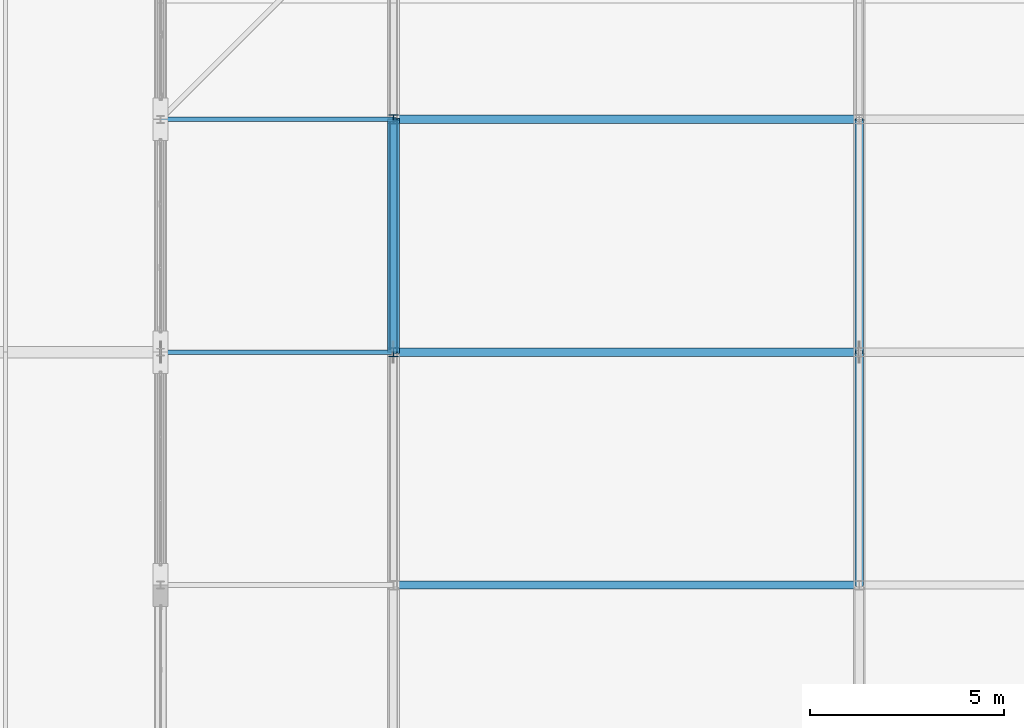
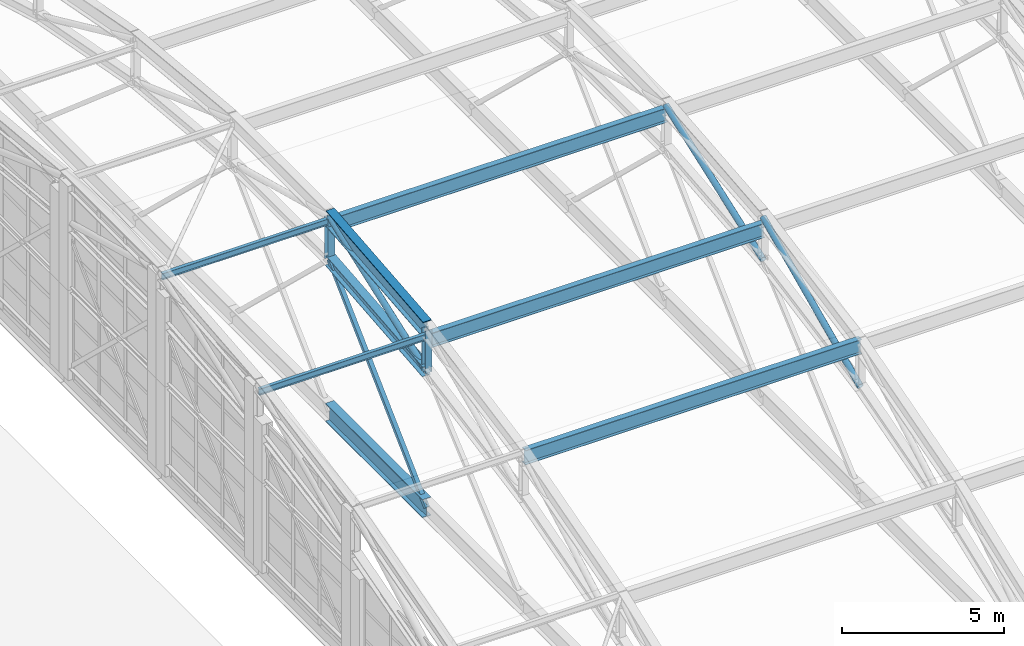
# One storey, part 80 of 204: 14 members.
"""IFC4 building model written with IfcOpenShell, lengths in metres."""

import ifcopenshell
import ifcopenshell.guid

model = None  # the IFC model being written
_history = None  # IfcOwnerHistory: only IFC2X3 demands one
_inside = {}  # id of a spatial element -> (the spatial element, [elements in it])
_under = {}  # id of a project, library or spatial element -> (it, [spatial elements below it])
_declared = {}  # id of a project -> (the project, [libraries it declares])
_typed = {}  # id of a type object -> (the type object, [elements of that type])
_made_of = {}  # id of a material, layer set ... -> (it, [elements and type objects made of it])


def new_model(schema):
    """Start an empty IFC model of exactly this schema.

    Asked for "IFC4X3", IfcOpenShell would pick the latest addendum, in which some entities
    have other attributes; the version numbers below select the first issue.
    IFC2X3 requires an IfcOwnerHistory on every rooted entity: one is made here for all.
    """
    global model, _history
    if schema == "IFC4X3":
        model = ifcopenshell.file(schema_version=(4, 3, 0, 0))
    else:
        model = ifcopenshell.file(schema=schema)
    _inside.clear()
    _under.clear()
    _declared.clear()
    _typed.clear()
    _made_of.clear()
    _history = None
    if model.schema == "IFC2X3":
        org = make("IfcOrganization", Name="unknown")
        user = make(
            "IfcPersonAndOrganization",
            ThePerson=make("IfcPerson", FamilyName="unknown"),
            TheOrganization=org,
        )
        app = make(
            "IfcApplication",
            ApplicationDeveloper=org,
            Version="unknown",
            ApplicationFullName="unknown",
            ApplicationIdentifier="unknown",
        )
        _history = make(
            "IfcOwnerHistory",
            OwningUser=user,
            OwningApplication=app,
            ChangeAction="ADDED",
            CreationDate=0,
        )
    return model


def make(cls, **values):
    """One entity of the class cls with the attributes given. An attribute that is None is left unset."""
    return model.create_entity(
        cls, **{name: value for name, value in values.items() if value is not None}
    )


def rooted(cls, **values):
    """An entity with a GlobalId (a new one), such as an element, a storey or a relation."""
    return make(cls, GlobalId=ifcopenshell.guid.new(), OwnerHistory=_history, **values)


def si_unit(unit_type, name, prefix=None):
    """IfcSIUnit, for example si_unit("LENGTHUNIT", "METRE", prefix="MILLI")."""
    return make("IfcSIUnit", UnitType=unit_type, Prefix=prefix, Name=name)


def assignment(units):
    """IfcUnitAssignment: the units of a project."""
    return None if units is None else make("IfcUnitAssignment", Units=units)


def point(xyz):
    """IfcCartesianPoint."""
    return None if xyz is None else make("IfcCartesianPoint", Coordinates=xyz)


def direction(xyz):
    """IfcDirection."""
    return None if xyz is None else make("IfcDirection", DirectionRatios=xyz)


def frame(location, z_axis=None, x_axis=None):
    """IfcAxis2Placement3D, a coordinate frame: its origin and axes. An axis left out is left unset."""
    return make(
        "IfcAxis2Placement3D",
        Location=point(location),
        Axis=direction(z_axis),
        RefDirection=direction(x_axis),
    )


def frame_2d(location, x_axis=None):
    """IfcAxis2Placement2D, a coordinate frame in the plane: its origin and x axis."""
    return make(
        "IfcAxis2Placement2D", Location=point(location), RefDirection=direction(x_axis)
    )


def origin():
    """The frame at (0, 0, 0) with its axes left unset."""
    return frame((0.0, 0.0, 0.0))


def origin_2d():
    """The frame at (0, 0) in the plane with its x axis left unset."""
    return frame_2d((0.0, 0.0))


def place(relative_to, where):
    """IfcLocalPlacement: puts the frame where relative to a parent placement (None: the world)."""
    return make(
        "IfcLocalPlacement", PlacementRelTo=relative_to, RelativePlacement=where
    )


def context(
    kind, dimensions, precision=None, world=None, true_north=None, identifier=None
):
    """IfcGeometricRepresentationContext, for example the 3D "Model" context."""
    return make(
        "IfcGeometricRepresentationContext",
        ContextIdentifier=identifier,
        ContextType=kind,
        CoordinateSpaceDimension=dimensions,
        Precision=precision,
        WorldCoordinateSystem=world,
        TrueNorth=true_north,
    )


def subcontext(parent, identifier, kind, view, scale=None):
    """IfcGeometricRepresentationSubContext, for example "Body" below "Model"."""
    return make(
        "IfcGeometricRepresentationSubContext",
        ContextIdentifier=identifier,
        ContextType=kind,
        ParentContext=parent,
        TargetScale=scale,
        TargetView=view,
    )


def project(units=None, contexts=None):
    """IfcProject with its units and contexts."""
    return rooted(
        "IfcProject",
        Name="project",
        RepresentationContexts=contexts,
        UnitsInContext=assignment(units),
    )


def spatial(cls, under=None, at=None, **own):
    """A site, building, storey or space (cls), placed at a placement, below another one or the project."""
    s = rooted(cls, ObjectPlacement=at, **own)
    if under is not None:
        _under.setdefault(under.id(), (under, []))[1].append(s)
    return s


def profile(cls, at=None, kind="AREA", **sizes):
    """A parametric profile (cls). Its sizes go by their IFC names, for example OverallWidth=200.0."""
    return make(cls, ProfileType=kind, Position=at, **sizes)


def hollow_rectangle(**sizes):
    """IfcRectangleHollowProfileDef."""
    return profile("IfcRectangleHollowProfileDef", **sizes)


def hollow_circle(**sizes):
    """IfcCircleHollowProfileDef."""
    return profile("IfcCircleHollowProfileDef", **sizes)


def i_section(**sizes):
    """IfcIShapeProfileDef."""
    return profile("IfcIShapeProfileDef", **sizes)


def extrude(swept, where, along, depth):
    """IfcExtrudedAreaSolid: the profile swept, set in the frame where, extruded along a direction by depth."""
    return make(
        "IfcExtrudedAreaSolid",
        SweptArea=swept,
        Position=where,
        ExtrudedDirection=direction(along),
        Depth=depth,
    )


def shape(context_of_items, identifier, shape_type, items):
    """IfcShapeRepresentation: the items that make up one representation, for example the "Body"."""
    return make(
        "IfcShapeRepresentation",
        ContextOfItems=context_of_items,
        RepresentationIdentifier=identifier,
        RepresentationType=shape_type,
        Items=items,
    )


def material(Name=None, Category=None):
    """IfcMaterial."""
    return make("IfcMaterial", Name=Name, Category=Category)


def material_profile(
    of_material, cross_section, Name=None, Category=None, Priority=None
):
    """IfcMaterialProfile: a cross section and its material."""
    return make(
        "IfcMaterialProfile",
        Name=Name,
        Material=of_material,
        Profile=cross_section,
        Priority=Priority,
        Category=Category,
    )


def profile_set(profiles, Name=None, composite=None):
    """IfcMaterialProfileSet."""
    return make(
        "IfcMaterialProfileSet",
        Name=Name,
        MaterialProfiles=profiles,
        CompositeProfile=composite,
    )


def made_of(thing, what):
    """Note that an element or type object is made of a material, layer set ...; save() writes the relation."""
    if what is not None:
        _made_of.setdefault(what.id(), (what, []))[1].append(thing)
    return thing


def type_object(cls, material=None, **own):
    """A type object (cls), such as IfcWallType, which elements share."""
    return made_of(rooted(cls, **own), material)


def element(
    cls,
    number,
    at=None,
    inside=None,
    cuts=None,
    type_object=None,
    material=None,
    context=None,
    identifier="Body",
    shape_type=None,
    held_by="IfcProductDefinitionShape",
    body=None,
    shapes=None,
    **own,
):
    """One element of the class cls, such as IfcWall. Its Tag is "e" and its number.

    at: its placement. inside: the storey or other place that contains it. cuts: it is an
    opening in that element (IfcRelVoidsElement). A single representation is given by context,
    identifier, shape_type and body (its items); several are given by shapes. held_by: the class
    of the entity that holds the representations. save() writes the other relations.
    """
    e = rooted(cls, Tag="e%d" % number, ObjectPlacement=at, **own)
    if body is not None:
        shapes = [shape(context, identifier, shape_type, body)]
    if shapes is not None:
        e.Representation = make(held_by, Representations=shapes)
    if inside is not None:
        _inside.setdefault(inside.id(), (inside, []))[1].append(e)
    if cuts is not None:
        rooted(
            "IfcRelVoidsElement", RelatingBuildingElement=cuts, RelatedOpeningElement=e
        )
    if type_object is not None:
        _typed.setdefault(type_object.id(), (type_object, []))[1].append(e)
    return made_of(e, material)


def aggregate(whole, parts):
    """IfcRelAggregates: a whole, such as a stair, and the parts it consists of."""
    return rooted("IfcRelAggregates", RelatingObject=whole, RelatedObjects=parts)


def save(model, path):
    """Write the relations noted so far, then the file.

    IfcRelAggregates (storeys below a building ...), IfcRelContainedInSpatialStructure (elements
    in a storey), IfcRelDefinesByType, IfcRelAssociatesMaterial and IfcRelDeclares: one each for
    every whole, place, type object, material and project.
    """
    for whole, parts in _under.values():
        aggregate(whole, parts)
    for where, things in _inside.values():
        rooted(
            "IfcRelContainedInSpatialStructure",
            RelatedElements=things,
            RelatingStructure=where,
        )
    for kind, things in _typed.values():
        rooted("IfcRelDefinesByType", RelatedObjects=things, RelatingType=kind)
    for what, things in _made_of.values():
        rooted("IfcRelAssociatesMaterial", RelatedObjects=things, RelatingMaterial=what)
    for by, libraries in _declared.values():
        rooted("IfcRelDeclares", RelatingContext=by, RelatedDefinitions=libraries)
    model.write(path)


model = new_model("IFC4")

# Units and contexts
model_context = context("Model", 3, precision=1e-05, world=origin(), true_north=direction((0.0, 1.0)))
body_context = subcontext(model_context, "Body", "Model", "MODEL_VIEW")
ifc_project = project(units=[si_unit("LENGTHUNIT", "METRE"), si_unit("AREAUNIT", "SQUARE_METRE"), si_unit("VOLUMEUNIT", "CUBIC_METRE"), si_unit("PLANEANGLEUNIT", "RADIAN"), si_unit("MASSUNIT", "GRAM", prefix="KILO")], contexts=[model_context])

# Site, building, storey
site_placement = place(None, origin())
site = spatial("IfcSite", under=ifc_project, at=site_placement, CompositionType="ELEMENT")
building_placement = place(site_placement, origin())
building = spatial("IfcBuilding", under=site, at=building_placement, Name="Zilviju Railside Exhibition Hall", CompositionType="ELEMENT")
storey_placement = place(building_placement, frame((0.0, 0.0, 21.0)))
storey = spatial("IfcBuildingStorey", under=building, at=storey_placement, Name="RF", CompositionType="ELEMENT", Elevation=21.0)

# Members
ifc_material = material(Name="Steel S355J2", Category="steel")
ifc_material_profile_1 = material_profile(ifc_material, hollow_circle(Radius=0.109619140625, WallThickness=0.010009765625, at=origin_2d()), Name="CHS 219.1x10.0")
ifc_profile_set_1 = profile_set([ifc_material_profile_1], Name="Steel S355J2")
member_type_1 = type_object("IfcMemberType", Name="TR-BR-CHS219", PredefinedType="BRACE", material=ifc_profile_set_1)
member_1_placement = place(storey_placement, frame((84.0, 102.0, 1.5556640625), z_axis=(0.0, 0.940243888255, 0.340501733621), x_axis=(-1.0, 0.0, 0.0)))
element("IfcMember", 1, at=member_1_placement, inside=storey, type_object=member_type_1, Name="V2 Parabolic Arch Web Diagonal X=84.0 P4", PredefinedType="BRACE", context=body_context, shape_type="SweptSolid", body=[
    extrude(hollow_circle(Radius=0.109619140625, WallThickness=0.010009765625, at=origin_2d()), origin(), (0.0, 0.0, 1.0), 6.38134765625),
])
member_2_placement = place(storey_placement, frame((96.0, 96.0, 0.409912109375), z_axis=(0.0, 0.909316915895, 0.416104249518), x_axis=(-1.0, 0.0, 0.0)))
element("IfcMember", 2, at=member_2_placement, inside=storey, type_object=member_type_1, Name="V2 Parabolic Arch Web Diagonal X=96.0 P3", PredefinedType="BRACE", context=body_context, shape_type="SweptSolid", body=[
    extrude(hollow_circle(Radius=0.109619140625, WallThickness=0.010009765625, at=origin_2d()), origin(), (0.0, 0.0, 1.0), 6.598388671875),
])
member_3_placement = place(storey_placement, frame((96.0, 102.0, 1.5556640625), z_axis=(0.0, 0.940243888255, 0.340501733621), x_axis=(-1.0, 0.0, 0.0)))
element("IfcMember", 3, at=member_3_placement, inside=storey, type_object=member_type_1, Name="V2 Parabolic Arch Web Diagonal X=96.0 P4", PredefinedType="BRACE", context=body_context, shape_type="SweptSolid", body=[
    extrude(hollow_circle(Radius=0.109619140625, WallThickness=0.010009765625, at=origin_2d()), origin(), (0.0, 0.0, 1.0), 6.38134765625),
])
ifc_material_profile_2 = material_profile(ifc_material, i_section(OverallWidth=0.300048828125, OverallDepth=0.39990234375, WebThickness=0.013427734375, FlangeThickness=0.02392578125, at=origin_2d()), Name="HEB 400")
ifc_profile_set_2 = profile_set([ifc_material_profile_2], Name="Steel S355J2")
member_type_2 = type_object("IfcMemberType", Name="TR-CH-HEB400", PredefinedType="CHORD", material=ifc_profile_set_2)
member_4_placement = place(storey_placement, frame((84.0, 102.0, 1.5556640625), z_axis=(0.0, 0.995474695123, 0.095027003367), x_axis=(-1.0, 0.0, 0.0)))
element("IfcMember", 4, at=member_4_placement, inside=storey, type_object=member_type_2, Name="V2 Parabolic Arch Bottom Chord X=84.0 P4", PredefinedType="CHORD", context=body_context, shape_type="SweptSolid", body=[
    extrude(i_section(OverallWidth=0.300048828125, OverallDepth=0.39990234375, WebThickness=0.013427734375, FlangeThickness=0.02392578125, at=origin_2d()), origin(), (0.0, 0.0, 1.0), 6.02734375),
])
ifc_material_profile_3 = material_profile(ifc_material, i_section(OverallWidth=0.300048828125, OverallDepth=0.60009765625, WebThickness=0.015380859375, FlangeThickness=0.030029296875, at=origin_2d()), Name="HEB 600")
ifc_profile_set_3 = profile_set([ifc_material_profile_3], Name="Steel S355J2")
member_type_3 = type_object("IfcMemberType", Name="TR-CH-HEB600", PredefinedType="CHORD", material=ifc_profile_set_3)
member_5_placement = place(storey_placement, frame((84.0, 102.0, 3.155517578125), z_axis=(0.0, 0.995470862587, 0.095067143331), x_axis=(-1.0, 0.0, 0.0)))
element("IfcMember", 5, at=member_5_placement, inside=storey, type_object=member_type_3, Name="V2 Parabolic Arch Top Chord X=84.0 P4", PredefinedType="CHORD", context=body_context, shape_type="SweptSolid", body=[
    extrude(i_section(OverallWidth=0.300048828125, OverallDepth=0.60009765625, WebThickness=0.015380859375, FlangeThickness=0.030029296875, at=origin_2d()), origin(), (0.0, 0.0, 1.0), 6.02734375),
])
ifc_material_profile_4 = material_profile(ifc_material, i_section(OverallWidth=0.239990234375, OverallDepth=0.22998046875, WebThickness=0.007568359375, FlangeThickness=0.011962890625, at=origin_2d()), Name="HEA 240")
ifc_profile_set_4 = profile_set([ifc_material_profile_4], Name="Steel S355J2")
member_type_4 = type_object("IfcMemberType", Name="TR-POST-HEA240", PredefinedType="POST", material=ifc_profile_set_4)
member_6_placement = place(storey_placement, frame((84.0, 102.0, 1.5556640625), z_axis=(0.0, 0.0, 1.0), x_axis=(1.0, 0.0, 0.0)))
element("IfcMember", 6, at=member_6_placement, inside=storey, type_object=member_type_4, Name="V2 Parabolic Arch Web Post X=84.0 N3", PredefinedType="POST", context=body_context, shape_type="SweptSolid", body=[
    extrude(i_section(OverallWidth=0.239990234375, OverallDepth=0.22998046875, WebThickness=0.007568359375, FlangeThickness=0.011962890625, at=origin_2d()), origin(), (0.0, 0.0, 1.0), 1.599853515625),
])
member_7_placement = place(storey_placement, frame((84.0, 108.0, 2.12841796875), z_axis=(0.0, 0.0, 1.0), x_axis=(1.0, 0.0, 0.0)))
element("IfcMember", 7, at=member_7_placement, inside=storey, type_object=member_type_4, Name="V2 Parabolic Arch Web Post X=84.0 N4", PredefinedType="POST", context=body_context, shape_type="SweptSolid", body=[
    extrude(i_section(OverallWidth=0.239990234375, OverallDepth=0.22998046875, WebThickness=0.007568359375, FlangeThickness=0.011962890625, at=origin_2d()), origin(), (0.0, 0.0, 1.0), 1.60009765625),
])
ifc_material_profile_5 = material_profile(ifc_material, hollow_rectangle(XDim=0.14990234375, YDim=0.14990234375, WallThickness=0.008056640625, at=origin_2d()), Name="SHS 150x150x8.0")
ifc_profile_set_5 = profile_set([ifc_material_profile_5], Name="Steel S355J2")
member_type_5 = type_object("IfcMemberType", Name="TR-POST-SHS150", PredefinedType="POST", material=ifc_profile_set_5)
member_8_placement = place(storey_placement, frame((84.0, 102.0, -3.60009765625), z_axis=(0.0, 0.723280707221, 0.690554138763), x_axis=(-1.0, 0.0, 0.0)))
element("IfcMember", 8, at=member_8_placement, inside=storey, type_object=member_type_5, Name="V2 Arch Tie Hanger X=84.0 N3", PredefinedType="POST", context=body_context, shape_type="SweptSolid", body=[
    extrude(hollow_rectangle(XDim=0.14990234375, YDim=0.14990234375, WallThickness=0.008056640625, at=origin_2d()), origin(), (0.0, 0.0, 1.0), 8.295654296875),
])
ifc_material_profile_6 = material_profile(ifc_material, i_section(OverallWidth=0.1201171875, OverallDepth=0.239990234375, WebThickness=0.006103515625, FlangeThickness=0.009765625, at=origin_2d()), Name="IPE 240")
ifc_profile_set_6 = profile_set([ifc_material_profile_6], Name="Steel S355J2")
member_type_6 = type_object("IfcMemberType", Name="TR-PUR-IPE240", PredefinedType="PURLIN", material=ifc_profile_set_6)
for number, where, z_axis, x_axis, name in (
    (9, (78.0, 102.0, 2.877197265625), (1.0, 0.0, 0.0), (0.0, 1.0, 0.0), "V2 Barrel Vault Roof Purlin Y=102.0 (78.0..84.0)"),
    (10, (78.0, 108.0, 3.593017578125), (1.0, 0.0, 0.0), (0.0, 1.0, 0.0), "V2 Barrel Vault Roof Purlin Y=108.0 (78.0..84.0)"),
):
    element("IfcMember", number, at=place(storey_placement, frame(where, z_axis=z_axis, x_axis=x_axis)), inside=storey, type_object=member_type_6, Name=name, PredefinedType="PURLIN", context=body_context, shape_type="SweptSolid", body=[
        extrude(i_section(OverallWidth=0.1201171875, OverallDepth=0.239990234375, WebThickness=0.006103515625, FlangeThickness=0.009765625, at=origin_2d()), origin(), (0.0, 0.0, 1.0), 6.0),
    ])
ifc_material_profile_7 = material_profile(ifc_material, i_section(OverallWidth=0.2099609375, OverallDepth=0.550048828125, WebThickness=0.010986328125, FlangeThickness=0.01708984375, at=origin_2d()), Name="IPE 550")
ifc_profile_set_7 = profile_set([ifc_material_profile_7], Name="Steel S355J2")
member_type_7 = type_object("IfcMemberType", Name="TR-PUR-IPE550", PredefinedType="PURLIN", material=ifc_profile_set_7)
for number, where, z_axis, x_axis, name in (
    (11, (84.0, 96.0, 1.97509765625), (1.0, 0.0, 0.0), (0.0, 1.0, 0.0), "V2 Barrel Vault Roof Purlin Y=96.0 (84.0..96.0)"),
    (12, (84.0, 102.0, 2.716796875), (1.0, 0.0, 0.0), (0.0, 1.0, 0.0), "V2 Barrel Vault Roof Purlin Y=102.0 (84.0..96.0)"),
    (13, (84.0, 108.0, 3.4326171875), (1.0, 0.0, 0.0), (0.0, 1.0, 0.0), "V2 Barrel Vault Roof Purlin Y=108.0 (84.0..96.0)"),
):
    element("IfcMember", number, at=place(storey_placement, frame(where, z_axis=z_axis, x_axis=x_axis)), inside=storey, type_object=member_type_7, Name=name, PredefinedType="PURLIN", context=body_context, shape_type="SweptSolid", body=[
        extrude(i_section(OverallWidth=0.2099609375, OverallDepth=0.550048828125, WebThickness=0.010986328125, FlangeThickness=0.01708984375, at=origin_2d()), origin(), (0.0, 0.0, 1.0), 12.0),
    ])
ifc_material_profile_8 = material_profile(ifc_material, i_section(OverallWidth=0.300048828125, OverallDepth=0.699951171875, WebThickness=0.01708984375, FlangeThickness=0.031982421875, at=origin_2d()), Name="HEB 700")
ifc_profile_set_8 = profile_set([ifc_material_profile_8], Name="Steel S355J2")
member_type_8 = type_object("IfcMemberType", Name="TR-TIE-HEB700", PredefinedType="CHORD", material=ifc_profile_set_8)
member_9_placement = place(storey_placement, frame((84.0, 102.0, -3.60009765625), z_axis=(0.0, 1.0, 0.0), x_axis=(-1.0, 0.0, 0.0)))
element("IfcMember", 14, at=member_9_placement, inside=storey, type_object=member_type_8, Name="V2 Arch Tie Member X=84.0", PredefinedType="CHORD", context=body_context, shape_type="SweptSolid", body=[
    extrude(i_section(OverallWidth=0.300048828125, OverallDepth=0.699951171875, WebThickness=0.01708984375, FlangeThickness=0.031982421875, at=origin_2d()), origin(), (0.0, 0.0, 1.0), 6.0),
])

save(model, "model.ifc")
